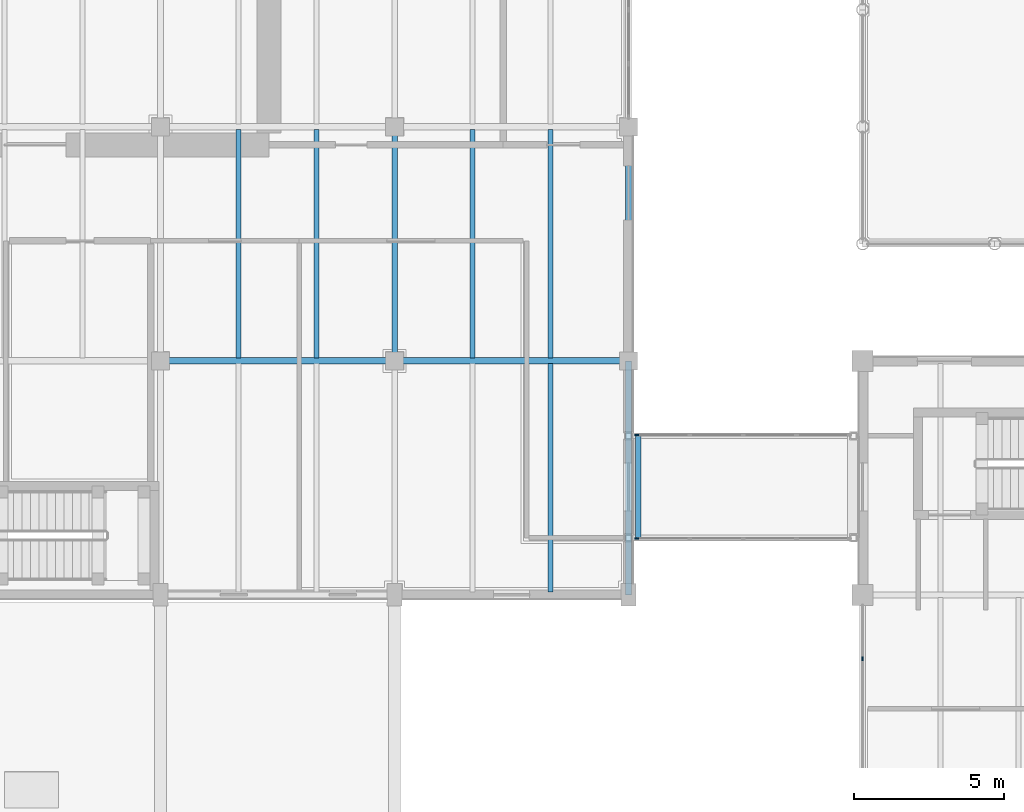
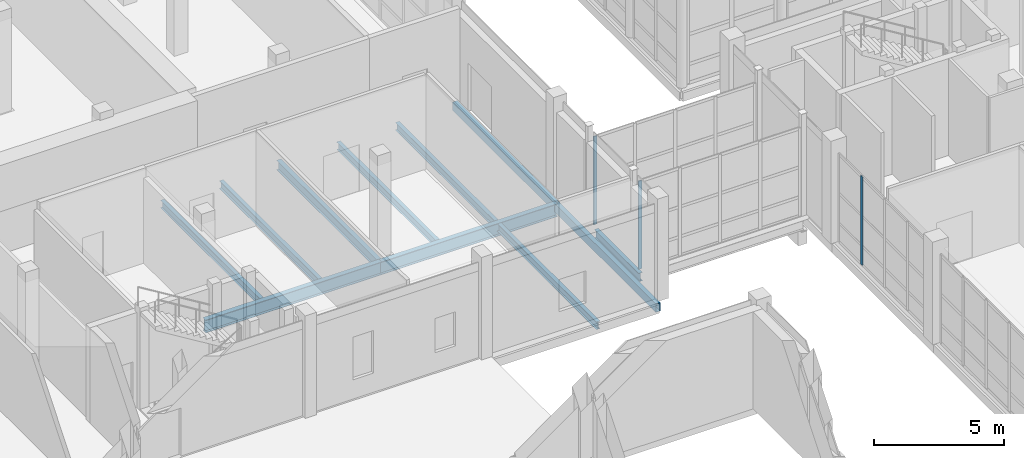
# One storey, part 31 of 131: 11 beams, 3 members, 3 elements without a shape of their own.
"""IFC4 building model written with IfcOpenShell, lengths in metres."""

from ifc_helpers import new_model, si_unit, direction, frame, origin, origin_2d, place, context, subcontext, project, spatial, rectangle, hollow_rectangle, i_section, extrude, material, layer, layer_set, material_profile, profile_set, type_object, element, aggregate, save


model = new_model("IFC4")

# Units and contexts
model_context = context("Model", 3, precision=1e-05, world=origin(), true_north=direction((0.0, 1.0)))
body_context = subcontext(model_context, "Body", "Model", "MODEL_VIEW")
ifc_project = project(units=[si_unit("LENGTHUNIT", "METRE"), si_unit("AREAUNIT", "SQUARE_METRE"), si_unit("VOLUMEUNIT", "CUBIC_METRE"), si_unit("PLANEANGLEUNIT", "RADIAN"), si_unit("MASSUNIT", "GRAM", prefix="KILO")], contexts=[model_context])

# Site, building, storey
site_placement = place(None, origin())
site = spatial("IfcSite", under=ifc_project, at=site_placement, CompositionType="ELEMENT")
building_placement = place(site_placement, origin())
building = spatial("IfcBuilding", under=site, at=building_placement, Name="Celorna Specialist Clinic", CompositionType="ELEMENT")
storey_placement = place(building_placement, origin())
storey = spatial("IfcBuildingStorey", under=building, at=storey_placement, Name="L00", CompositionType="ELEMENT", Elevation=0.0)

# Beams
ifc_material_1 = material(Name="Steel S355", Category="steel")
ifc_material_profile_1 = material_profile(ifc_material_1, i_section(OverallWidth=0.219970703125, OverallDepth=0.60009765625, WebThickness=0.011962890625, FlangeThickness=0.01904296875, at=origin_2d()), Name="IPE 600")
ifc_profile_set_1 = profile_set([ifc_material_profile_1], Name="Steel S355")
beam_type_1 = type_object("IfcBeamType", Name="BM-06", PredefinedType="BEAM", material=ifc_profile_set_1)
for number, where, z_axis, x_axis, name in (
    (1, (31.199951171875, 42.89990234375, -0.679931640625), (1.0, 0.0, 0.0), (0.0, 1.0, 0.0), "Primary girder BM-06 #240"),
    (2, (39.0, 42.89990234375, -0.679931640625), (1.0, 0.0, 0.0), (0.0, 1.0, 0.0), "Primary girder BM-06 #241"),
):
    element("IfcBeam", number, at=place(storey_placement, frame(where, z_axis=z_axis, x_axis=x_axis)), inside=storey, type_object=beam_type_1, Name=name, PredefinedType="BEAM", context=body_context, shape_type="SweptSolid", body=[
        extrude(i_section(OverallWidth=0.219970703125, OverallDepth=0.60009765625, WebThickness=0.011962890625, FlangeThickness=0.01904296875, at=origin_2d()), origin(), (0.0, 0.0, 1.0), 7.800048828125),
    ])
ifc_material_profile_2 = material_profile(ifc_material_1, i_section(OverallWidth=0.18994140625, OverallDepth=0.449951171875, WebThickness=0.009521484375, FlangeThickness=0.0146484375, at=origin_2d()), Name="IPE 450")
ifc_profile_set_2 = profile_set([ifc_material_profile_2], Name="Steel S355")
beam_type_2 = type_object("IfcBeamType", Name="BM-09", PredefinedType="BEAM", material=ifc_profile_set_2)
beam_1_placement = place(storey_placement, frame((39.0, 42.89990234375, -0.60498046875), z_axis=(0.0, 1.0, 0.0), x_axis=(-1.0, 0.0, 0.0)))
element("IfcBeam", 3, at=beam_1_placement, inside=storey, type_object=beam_type_2, Name="Transverse girder BM-09 #292", PredefinedType="BEAM", context=body_context, shape_type="SweptSolid", body=[
    extrude(i_section(OverallWidth=0.18994140625, OverallDepth=0.449951171875, WebThickness=0.009521484375, FlangeThickness=0.0146484375, at=origin_2d()), origin(), (0.0, 0.0, 1.0), 7.800048828125),
])
ifc_material_profile_3 = material_profile(ifc_material_1, i_section(OverallWidth=0.179931640625, OverallDepth=0.39990234375, WebThickness=0.008544921875, FlangeThickness=0.013427734375, at=origin_2d()), Name="IPE 400")
ifc_profile_set_3 = profile_set([ifc_material_profile_3], Name="Steel S355")
beam_type_3 = type_object("IfcBeamType", Name="BM-10", PredefinedType="BEAM", material=ifc_profile_set_3)
beam_2_placement = place(storey_placement, frame((47.1201171875, 37.0, -0.419921875), z_axis=(0.0, 1.0, 0.0), x_axis=(-1.0, 0.0, 0.0)))
element("IfcBeam", 4, at=beam_2_placement, inside=storey, type_object=beam_type_3, Name="Bridge BR-02 transverse beam BM-10 #79", PredefinedType="BEAM", context=body_context, shape_type="SweptSolid", body=[
    extrude(i_section(OverallWidth=0.179931640625, OverallDepth=0.39990234375, WebThickness=0.008544921875, FlangeThickness=0.013427734375, at=origin_2d()), origin(), (0.0, 0.0, 1.0), 3.39990234375),
])
ifc_material_profile_4 = material_profile(ifc_material_1, i_section(OverallWidth=0.169921875, OverallDepth=0.360107421875, WebThickness=0.008056640625, FlangeThickness=0.0126953125, at=origin_2d()), Name="IPE 360")
ifc_profile_set_4 = profile_set([ifc_material_profile_4], Name="Steel S355")
beam_type_4 = type_object("IfcBeamType", Name="BM-11", PredefinedType="JOIST", material=ifc_profile_set_4)
for number, where, z_axis, x_axis, name in (
    (5, (33.800048828125, 42.988037109375, -0.56005859375), (0.0, 1.0, 0.0), (-1.0, 0.0, 0.0), "Secondary floor joist BM-11 #339"),
    (6, (36.39990234375, 42.988037109375, -0.56005859375), (0.0, 1.0, 0.0), (-1.0, 0.0, 0.0), "Secondary floor joist BM-11 #340"),
    (7, (44.199951171875, 35.18798828125, -0.56005859375), (0.0, 1.0, 0.0), (-1.0, 0.0, 0.0), "Secondary floor joist BM-11 #348"),
    (8, (41.60009765625, 42.988037109375, -0.56005859375), (0.0, 1.0, 0.0), (-1.0, 0.0, 0.0), "Secondary floor joist BM-11 #349"),
    (9, (44.199951171875, 42.988037109375, -0.56005859375), (0.0, 1.0, 0.0), (-1.0, 0.0, 0.0), "Secondary floor joist BM-11 #350"),
):
    element("IfcBeam", number, at=place(storey_placement, frame(where, z_axis=z_axis, x_axis=x_axis)), inside=storey, type_object=beam_type_4, Name=name, PredefinedType="JOIST", context=body_context, shape_type="SweptSolid", body=[
        extrude(i_section(OverallWidth=0.169921875, OverallDepth=0.360107421875, WebThickness=0.008056640625, FlangeThickness=0.0126953125, at=origin_2d()), origin(), (0.0, 0.0, 1.0), 7.6240234375),
    ])
ifc_material_profile_5 = material_profile(ifc_material_1, hollow_rectangle(XDim=0.199951171875, YDim=0.39990234375, WallThickness=0.011962890625, at=origin_2d()), Name="RHS 200x400x12")
ifc_profile_set_5 = profile_set([ifc_material_profile_5], Name="Steel S355")
beam_type_5 = type_object("IfcBeamType", Name="BM-15", PredefinedType="SPANDREL", material=ifc_profile_set_5)
beam_3_placement = place(storey_placement, frame((46.800048828125, 35.10009765625, -0.580078125), z_axis=(0.0, 1.0, 0.0), x_axis=(-1.0, 0.0, 0.0)))
element("IfcBeam", 10, at=beam_3_placement, inside=storey, type_object=beam_type_5, Name="Spandrel beam BM-15 #296", PredefinedType="SPANDREL", context=body_context, shape_type="SweptSolid", body=[
    extrude(hollow_rectangle(XDim=0.199951171875, YDim=0.39990234375, WallThickness=0.011962890625, at=origin_2d()), origin(), (0.0, 0.0, 1.0), 7.7998046875),
])
beam_4_placement = place(storey_placement, frame((46.800048828125, 42.89990234375, -0.580078125), z_axis=(0.0, 1.0, 0.0), x_axis=(-1.0, 0.0, 0.0)))
element("IfcBeam", 11, at=beam_4_placement, inside=storey, type_object=beam_type_5, Name="Spandrel beam BM-15 #297", PredefinedType="SPANDREL", context=body_context, shape_type="SweptSolid", body=[
    extrude(hollow_rectangle(XDim=0.199951171875, YDim=0.39990234375, WallThickness=0.011962890625, at=origin_2d()), origin(), (0.0, 0.0, 1.0), 7.800048828125),
])

# Curtain wall, member
ifc_material_2 = material(Name="Thermally broken aluminium and solar-control glass curtain wall", Category="aluminium")
ifc_layer_1 = layer(ifc_material_2, 0.159912109375, Name="Thermally broken aluminium and solar-control glass curtain wall")
ifc_layer_set_1 = layer_set([ifc_layer_1], Name="Thermally broken aluminium and solar-control glass curtain wall")
curtain_wall_type_1 = type_object("IfcCurtainWallType", Name="CW-103", PredefinedType="NOTDEFINED", material=ifc_layer_set_1)
curtain_wall_1_placement = place(storey_placement, origin())
curtain_wall_1 = element("IfcCurtainWall", 12, at=curtain_wall_1_placement, inside=storey, type_object=curtain_wall_type_1, Name="Curtain wall CW-103 #182", PredefinedType="NOTDEFINED")
ifc_material_3 = material(Name="Anodized aluminium mullion", Category="aluminium")
ifc_material_profile_6 = material_profile(ifc_material_3, rectangle(XDim=0.050048828125, YDim=0.139892578125, at=origin_2d()), Name="ALU MULLION 50x140")
ifc_profile_set_6 = profile_set([ifc_material_profile_6], Name="Anodized aluminium mullion")
member_type = type_object("IfcMemberType", Name="ML-03", PredefinedType="MULLION", material=ifc_profile_set_6)
member_1_placement = place(storey_placement, frame((54.60009765625, 32.972900390625, 0.0), z_axis=(0.0, 0.0, 1.0), x_axis=(-1.0, 0.0, 0.0)))
member_1 = element("IfcMember", 13, at=member_1_placement, type_object=member_type, Name="CW-103 mullion 4", PredefinedType="MULLION", context=body_context, shape_type="SweptSolid", body=[
    extrude(rectangle(XDim=0.050048828125, YDim=0.139892578125, at=origin_2d()), origin(), (0.0, 0.0, 1.0), 4.139892578125),
])
aggregate(curtain_wall_1, [member_1])

ifc_layer_2 = layer(ifc_material_2, 0.159912109375, Name="Thermally broken aluminium and solar-control glass curtain wall")
ifc_layer_set_2 = layer_set([ifc_layer_2], Name="Thermally broken aluminium and solar-control glass curtain wall")
curtain_wall_type_2 = type_object("IfcCurtainWallType", Name="CW-111", PredefinedType="NOTDEFINED", material=ifc_layer_set_2)
curtain_wall_2_placement = place(storey_placement, origin())
curtain_wall_2 = element("IfcCurtainWall", 14, at=curtain_wall_2_placement, inside=storey, type_object=curtain_wall_type_2, Name="Curtain wall CW-111 #202", PredefinedType="NOTDEFINED")
member_2_placement = place(storey_placement, frame((47.074951171875, 36.97998046875, 0.0), z_axis=(0.0, 0.0, 1.0), x_axis=(0.0, -1.0, 0.0)))
member_2 = element("IfcMember", 15, at=member_2_placement, type_object=member_type, Name="CW-111 mullion 5", PredefinedType="MULLION", context=body_context, shape_type="SweptSolid", body=[
    extrude(rectangle(XDim=0.050048828125, YDim=0.139892578125, at=origin_2d()), origin(), (0.0, 0.0, 1.0), 4.1298828125),
])
aggregate(curtain_wall_2, [member_2])

curtain_wall_3_placement = place(storey_placement, origin())
curtain_wall_3 = element("IfcCurtainWall", 16, at=curtain_wall_3_placement, inside=storey, type_object=curtain_wall_type_2, Name="Curtain wall CW-111 #203", PredefinedType="NOTDEFINED")
member_3_placement = place(storey_placement, frame((47.074951171875, 40.419921875, 0.0), z_axis=(0.0, 0.0, 1.0), x_axis=(0.0, 1.0, 0.0)))
member_3 = element("IfcMember", 17, at=member_3_placement, type_object=member_type, Name="CW-111 mullion 1", PredefinedType="MULLION", context=body_context, shape_type="SweptSolid", body=[
    extrude(rectangle(XDim=0.050048828125, YDim=0.139892578125, at=origin_2d()), origin(), (0.0, 0.0, 1.0), 4.1298828125),
])
aggregate(curtain_wall_3, [member_3])

save(model, "model.ifc")
